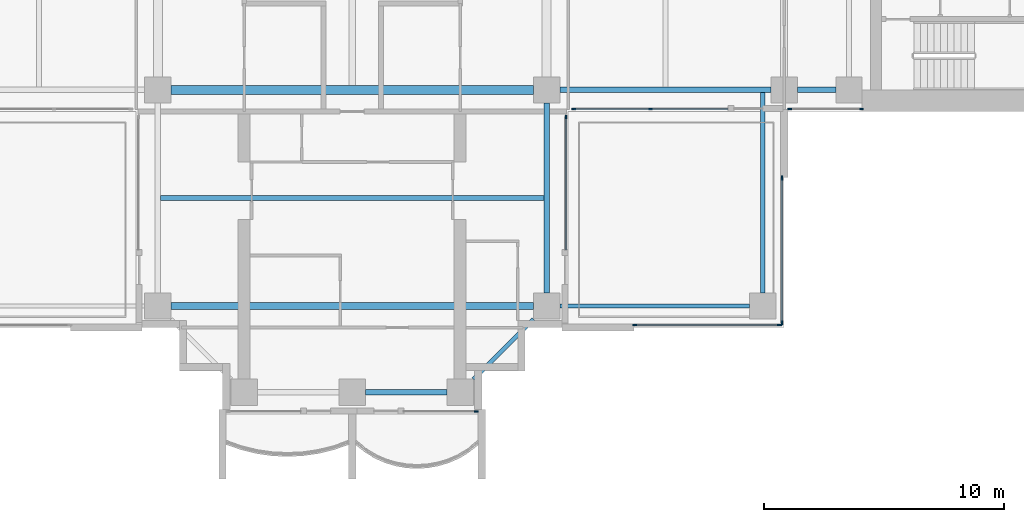
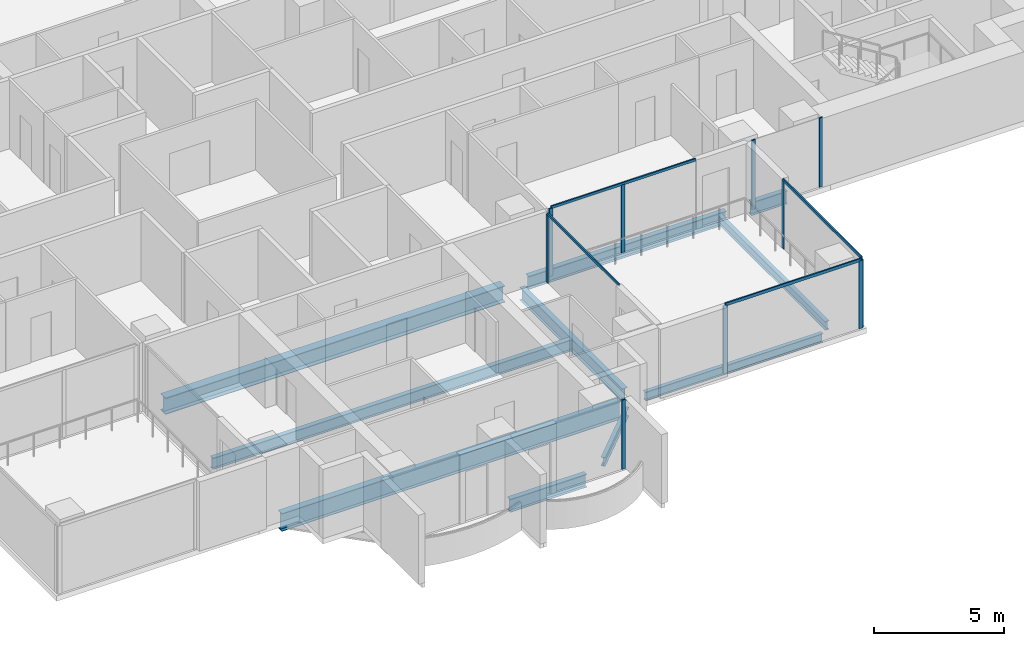
# One storey, part 3 of 18: 14 members, 10 beams, 6 elements without a shape of their own.
"""IFC4 building model written with IfcOpenShell, lengths in metres."""

from ifc_helpers import new_model, si_unit, direction, frame, origin, origin_2d, place, context, subcontext, project, spatial, rectangle, i_section, extrude, material, material_profile, profile_set, type_object, element, aggregate, save


model = new_model("IFC4")

# Units and contexts
model_context = context("Model", 3, precision=1e-05, world=origin(), true_north=direction((0.0, 1.0)))
body_context = subcontext(model_context, "Body", "Model", "MODEL_VIEW")
ifc_project = project(units=[si_unit("LENGTHUNIT", "METRE"), si_unit("AREAUNIT", "SQUARE_METRE"), si_unit("VOLUMEUNIT", "CUBIC_METRE"), si_unit("PLANEANGLEUNIT", "RADIAN"), si_unit("MASSUNIT", "GRAM", prefix="KILO")], contexts=[model_context])

# Site, building, storey
site_placement = place(None, origin())
site = spatial("IfcSite", under=ifc_project, at=site_placement, CompositionType="ELEMENT")
building_placement = place(site_placement, origin())
building = spatial("IfcBuilding", under=site, at=building_placement, Name="Perihelion Cross Residences", CompositionType="ELEMENT")
storey_placement = place(building_placement, frame((0.0, 0.0, 130.39990234375)))
storey = spatial("IfcBuildingStorey", under=building, at=storey_placement, Name="L31", CompositionType="ELEMENT", Elevation=130.39990234375)

# Curtain wall, member
ifc_material_1 = material(Name="Bronze anodised aluminium, tinted glazing", Category="aluminium")
curtain_wall_type_1 = type_object("IfcCurtainWallType", Name="CW1", PredefinedType="NOTDEFINED", material=ifc_material_1)
curtain_wall_1_placement = place(storey_placement, origin())
curtain_wall_1 = element("IfcCurtainWall", 1, at=curtain_wall_1_placement, inside=storey, type_object=curtain_wall_type_1, Name="Curtain wall CW1 L31 south tip south bay 2", PredefinedType="NOTDEFINED")
ifc_material_2 = material(Name="Bronze anodised aluminium", Category="aluminium")
ifc_material_profile_1 = material_profile(ifc_material_2, rectangle(XDim=0.06005859375, YDim=0.159912109375, at=origin_2d()), Name="CW1 mullion")
ifc_profile_set_1 = profile_set([ifc_material_profile_1], Name="Bronze anodised aluminium")
member_type_1 = type_object("IfcMemberType", Name="CW1 mullion", PredefinedType="MULLION", material=ifc_profile_set_1)
member_1_placement = place(storey_placement, frame((5.169921875, -21.5, 0.0), z_axis=(0.0, 0.0, 1.0), x_axis=(0.0, 1.0, 0.0)))
member_1 = element("IfcMember", 2, at=member_1_placement, type_object=member_type_1, Name="CW1 mullion 2", PredefinedType="MULLION", context=body_context, shape_type="SweptSolid", body=[
    extrude(rectangle(XDim=0.06005859375, YDim=0.159912109375, at=origin_2d()), origin(), (0.0, 0.0, 1.0), 3.25),
])
aggregate(curtain_wall_1, [member_1])

curtain_wall_2_placement = place(storey_placement, origin())
curtain_wall_2 = element("IfcCurtainWall", 3, at=curtain_wall_2_placement, inside=storey, type_object=curtain_wall_type_1, Name="Curtain wall CW1 L31 south side east bay 1", PredefinedType="NOTDEFINED")
member_2_placement = place(storey_placement, frame((8.89990234375, -9.22998046875, 0.0), z_axis=(0.0, 0.0, 1.0), x_axis=(-1.0, 0.0, 0.0)))
member_2 = element("IfcMember", 4, at=member_2_placement, type_object=member_type_1, Name="CW1 mullion 2", PredefinedType="MULLION", context=body_context, shape_type="SweptSolid", body=[
    extrude(rectangle(XDim=0.06005859375, YDim=0.159912109375, at=origin_2d()), origin(), (0.0, 0.0, 1.0), 3.190185546875),
])

# Curtain wall, members
curtain_wall_3_placement = place(storey_placement, origin())
curtain_wall_3 = element("IfcCurtainWall", 5, at=curtain_wall_3_placement, inside=storey, type_object=curtain_wall_type_1, Name="Curtain wall CW1 L31 east side south bay 1", PredefinedType="NOTDEFINED")
member_3_placement = place(storey_placement, frame((9.22998046875, -8.89990234375, 0.0), z_axis=(0.0, 0.0, 1.0), x_axis=(0.0, 1.0, 0.0)))
member_3 = element("IfcMember", 6, at=member_3_placement, type_object=member_type_1, Name="CW1 mullion 1", PredefinedType="MULLION", context=body_context, shape_type="SweptSolid", body=[
    extrude(rectangle(XDim=0.06005859375, YDim=0.159912109375, at=origin_2d()), origin(), (0.0, 0.0, 1.0), 3.190185546875),
])
member_4_placement = place(storey_placement, frame((12.425048828125, -8.89990234375, 0.0), z_axis=(0.0, 0.0, 1.0), x_axis=(0.0, 1.0, 0.0)))
member_4 = element("IfcMember", 7, at=member_4_placement, type_object=member_type_1, Name="CW1 mullion 2", PredefinedType="MULLION", context=body_context, shape_type="SweptSolid", body=[
    extrude(rectangle(XDim=0.06005859375, YDim=0.159912109375, at=origin_2d()), origin(), (0.0, 0.0, 1.0), 3.190185546875),
])

curtain_wall_4_placement = place(storey_placement, origin())
curtain_wall_4 = element("IfcCurtainWall", 8, at=curtain_wall_4_placement, inside=storey, type_object=curtain_wall_type_1, Name="Curtain wall CW1 L31 east side south bay 2", PredefinedType="NOTDEFINED")
member_5_placement = place(storey_placement, frame((18.22998046875, -8.89990234375, 0.0), z_axis=(0.0, 0.0, 1.0), x_axis=(0.0, 1.0, 0.0)))
member_5 = element("IfcMember", 9, at=member_5_placement, type_object=member_type_1, Name="CW1 mullion 1", PredefinedType="MULLION", context=body_context, shape_type="SweptSolid", body=[
    extrude(rectangle(XDim=0.06005859375, YDim=0.159912109375, at=origin_2d()), origin(), (0.0, 0.0, 1.0), 3.25),
])
member_6_placement = place(storey_placement, frame((21.219970703125, -8.89990234375, 0.0), z_axis=(0.0, 0.0, 1.0), x_axis=(0.0, 1.0, 0.0)))
member_6 = element("IfcMember", 10, at=member_6_placement, type_object=member_type_1, Name="CW1 mullion 2", PredefinedType="MULLION", context=body_context, shape_type="SweptSolid", body=[
    extrude(rectangle(XDim=0.06005859375, YDim=0.159912109375, at=origin_2d()), origin(), (0.0, 0.0, 1.0), 3.25),
])
aggregate(curtain_wall_4, [member_5, member_6])

# Member
ifc_material_3 = material(Name="Bronze anodised aluminium", Category="aluminium")
ifc_material_profile_2 = material_profile(ifc_material_3, rectangle(XDim=0.06005859375, YDim=0.1201171875, at=origin_2d()), Name="CW1 transom")
ifc_profile_set_2 = profile_set([ifc_material_profile_2], Name="Bronze anodised aluminium")
member_type_2 = type_object("IfcMemberType", Name="CW1 transom", PredefinedType="USERDEFINED", material=ifc_profile_set_2)
member_7_placement = place(storey_placement, frame((8.89990234375, -14.75, 3.22021484375), z_axis=(0.0, 1.0, 0.0), x_axis=(-1.0, 0.0, 0.0)))
member_7 = element("IfcMember", 11, at=member_7_placement, type_object=member_type_2, Name="CW1 head transom", ObjectType="TRANSOM", PredefinedType="USERDEFINED", context=body_context, shape_type="SweptSolid", body=[
    extrude(rectangle(XDim=0.06005859375, YDim=0.1201171875, at=origin_2d()), origin(), (0.0, 0.0, 1.0), 5.52001953125),
])

aggregate(curtain_wall_2, [member_2, member_7])

member_8_placement = place(storey_placement, frame((9.22998046875, -8.89990234375, 3.22021484375), z_axis=(1.0, 0.0, 0.0), x_axis=(0.0, 1.0, 0.0)))
member_8 = element("IfcMember", 12, at=member_8_placement, type_object=member_type_2, Name="CW1 head transom", ObjectType="TRANSOM", PredefinedType="USERDEFINED", context=body_context, shape_type="SweptSolid", body=[
    extrude(rectangle(XDim=0.06005859375, YDim=0.1201171875, at=origin_2d()), origin(), (0.0, 0.0, 1.0), 6.419921875),
])

aggregate(curtain_wall_3, [member_3, member_4, member_8])

# Curtain wall, members
ifc_material_4 = material(Name="Bronze anodised aluminium, tinted glazing", Category="aluminium")
curtain_wall_type_2 = type_object("IfcCurtainWallType", Name="CW4", PredefinedType="NOTDEFINED", material=ifc_material_4)
curtain_wall_5_placement = place(storey_placement, origin())
curtain_wall_5 = element("IfcCurtainWall", 13, at=curtain_wall_5_placement, inside=storey, type_object=curtain_wall_type_2, Name="Curtain wall CW4 L31 pocket south-east 1 1", PredefinedType="NOTDEFINED")
ifc_material_5 = material(Name="Bronze anodised aluminium", Category="aluminium")
ifc_material_profile_3 = material_profile(ifc_material_5, rectangle(XDim=0.06005859375, YDim=0.179931640625, at=origin_2d()), Name="CW4 mullion")
ifc_profile_set_3 = profile_set([ifc_material_profile_3], Name="Bronze anodised aluminium")
member_type_3 = type_object("IfcMemberType", Name="CW4 mullion", PredefinedType="MULLION", material=ifc_profile_set_3)
member_9_placement = place(storey_placement, frame((17.89990234375, -11.77001953125, 0.0), z_axis=(0.0, 0.0, 1.0), x_axis=(1.0, 0.0, 0.0)))
member_9 = element("IfcMember", 14, at=member_9_placement, type_object=member_type_3, Name="CW4 mullion 1", PredefinedType="MULLION", context=body_context, shape_type="SweptSolid", body=[
    extrude(rectangle(XDim=0.06005859375, YDim=0.179931640625, at=origin_2d()), origin(), (0.0, 0.0, 1.0), 3.190185546875),
])
member_10_placement = place(storey_placement, frame((17.89990234375, -17.800048828125, 0.0), z_axis=(0.0, 0.0, 1.0), x_axis=(1.0, 0.0, 0.0)))
member_10 = element("IfcMember", 15, at=member_10_placement, type_object=member_type_3, Name="CW4 mullion 2", PredefinedType="MULLION", context=body_context, shape_type="SweptSolid", body=[
    extrude(rectangle(XDim=0.06005859375, YDim=0.179931640625, at=origin_2d()), origin(), (0.0, 0.0, 1.0), 3.190185546875),
])

curtain_wall_6_placement = place(storey_placement, origin())
curtain_wall_6 = element("IfcCurtainWall", 16, at=curtain_wall_6_placement, inside=storey, type_object=curtain_wall_type_2, Name="Curtain wall CW4 L31 pocket south-east 1 2", PredefinedType="NOTDEFINED")
member_11_placement = place(storey_placement, frame((17.800048828125, -17.89990234375, 0.0), z_axis=(0.0, 0.0, 1.0), x_axis=(0.0, -1.0, 0.0)))
member_11 = element("IfcMember", 17, at=member_11_placement, type_object=member_type_3, Name="CW4 mullion 1", PredefinedType="MULLION", context=body_context, shape_type="SweptSolid", body=[
    extrude(rectangle(XDim=0.06005859375, YDim=0.179931640625, at=origin_2d()), origin(), (0.0, 0.0, 1.0), 3.190185546875),
])
member_12_placement = place(storey_placement, frame((11.77001953125, -17.89990234375, 0.0), z_axis=(0.0, 0.0, 1.0), x_axis=(0.0, -1.0, 0.0)))
member_12 = element("IfcMember", 18, at=member_12_placement, type_object=member_type_3, Name="CW4 mullion 2", PredefinedType="MULLION", context=body_context, shape_type="SweptSolid", body=[
    extrude(rectangle(XDim=0.06005859375, YDim=0.179931640625, at=origin_2d()), origin(), (0.0, 0.0, 1.0), 3.190185546875),
])

# Member
ifc_material_6 = material(Name="Bronze anodised aluminium", Category="aluminium")
ifc_material_profile_4 = material_profile(ifc_material_6, rectangle(XDim=0.06005859375, YDim=0.139892578125, at=origin_2d()), Name="CW4 transom")
ifc_profile_set_4 = profile_set([ifc_material_profile_4], Name="Bronze anodised aluminium")
member_type_4 = type_object("IfcMemberType", Name="CW4 transom", PredefinedType="USERDEFINED", material=ifc_profile_set_4)
member_13_placement = place(storey_placement, frame((17.89990234375, -11.77001953125, 3.22021484375), z_axis=(0.0, -1.0, 0.0), x_axis=(1.0, 0.0, 0.0)))
member_13 = element("IfcMember", 19, at=member_13_placement, type_object=member_type_4, Name="CW4 head transom", ObjectType="TRANSOM", PredefinedType="USERDEFINED", context=body_context, shape_type="SweptSolid", body=[
    extrude(rectangle(XDim=0.06005859375, YDim=0.139892578125, at=origin_2d()), origin(), (0.0, 0.0, 1.0), 6.030029296875),
])

aggregate(curtain_wall_5, [member_9, member_10, member_13])

member_14_placement = place(storey_placement, frame((17.800048828125, -17.89990234375, 3.22021484375), z_axis=(-1.0, 0.0, 0.0), x_axis=(0.0, -1.0, 0.0)))
member_14 = element("IfcMember", 20, at=member_14_placement, type_object=member_type_4, Name="CW4 head transom", ObjectType="TRANSOM", PredefinedType="USERDEFINED", context=body_context, shape_type="SweptSolid", body=[
    extrude(rectangle(XDim=0.06005859375, YDim=0.139892578125, at=origin_2d()), origin(), (0.0, 0.0, 1.0), 6.030029296875),
])

aggregate(curtain_wall_6, [member_11, member_12, member_14])

# Beams
ifc_material_7 = material(Name="Steel S355", Category="steel")
ifc_material_profile_5 = material_profile(ifc_material_7, i_section(OverallWidth=0.177978515625, OverallDepth=0.406005859375, WebThickness=0.0078125, FlangeThickness=0.0126953125, at=origin_2d()), Name="W410x60")
ifc_profile_set_5 = profile_set([ifc_material_profile_5], Name="Steel S355")
beam_type_1 = type_object("IfcBeamType", Name="Core edge beam W410x60", PredefinedType="BEAM", material=ifc_profile_set_5)
beam_1_placement = place(storey_placement, frame((17.10009765625, -8.214599609375, -0.452880859375), z_axis=(0.0, -1.0, 0.0), x_axis=(1.0, 0.0, 0.0)))
element("IfcBeam", 21, at=beam_1_placement, inside=storey, type_object=beam_type_1, Name="Core edge beam TB2 L31 corner no. 5", PredefinedType="BEAM", context=body_context, shape_type="SweptSolid", body=[
    extrude(i_section(OverallWidth=0.177978515625, OverallDepth=0.406005859375, WebThickness=0.0078125, FlangeThickness=0.0126953125, at=origin_2d()), origin(), (0.0, 0.0, 1.0), 8.33544921875),
])
beam_2_placement = place(storey_placement, frame((8.64990234375, -17.10009765625, -0.452880859375), z_axis=(1.0, 0.0, 0.0), x_axis=(0.0, 1.0, 0.0)))
element("IfcBeam", 22, at=beam_2_placement, inside=storey, type_object=beam_type_1, Name="Core edge beam TB2 L31 corner no. 6", PredefinedType="BEAM", context=body_context, shape_type="SweptSolid", body=[
    extrude(i_section(OverallWidth=0.177978515625, OverallDepth=0.406005859375, WebThickness=0.0078125, FlangeThickness=0.0126953125, at=origin_2d()), origin(), (0.0, 0.0, 1.0), 7.900146484375),
])
ifc_material_8 = material(Name="Steel S355", Category="steel")
ifc_material_profile_6 = material_profile(ifc_material_8, i_section(OverallWidth=0.22900390625, OverallDepth=0.612060546875, WebThickness=0.011962890625, FlangeThickness=0.01953125, at=origin_2d()), Name="W610x125")
ifc_profile_set_6 = profile_set([ifc_material_profile_6], Name="Steel S355")
beam_type_2 = type_object("IfcBeamType", Name="Edge beam W610x125", PredefinedType="SPANDREL", material=ifc_profile_set_6)
beam_3_placement = place(storey_placement, frame((0.550048828125, -20.699951171875, -0.555908203125), z_axis=(1.0, 0.0, 0.0), x_axis=(0.0, 1.0, 0.0)))
element("IfcBeam", 23, at=beam_3_placement, inside=storey, type_object=beam_type_2, Name="Edge beam SB3 L31 no. 9", PredefinedType="SPANDREL", context=body_context, shape_type="SweptSolid", body=[
    extrude(i_section(OverallWidth=0.22900390625, OverallDepth=0.612060546875, WebThickness=0.011962890625, FlangeThickness=0.01953125, at=origin_2d()), origin(), (0.0, 0.0, 1.0), 3.39990234375),
])
beam_4_placement = place(storey_placement, frame((8.10009765625, -16.550048828125, -0.555908203125), z_axis=(0.0, 1.0, 0.0), x_axis=(-1.0, 0.0, 0.0)))
element("IfcBeam", 24, at=beam_4_placement, inside=storey, type_object=beam_type_2, Name="Edge beam SB3 L31 no. 15", PredefinedType="SPANDREL", context=body_context, shape_type="SweptSolid", body=[
    extrude(i_section(OverallWidth=0.22900390625, OverallDepth=0.612060546875, WebThickness=0.011962890625, FlangeThickness=0.01953125, at=origin_2d()), origin(), (0.0, 0.0, 1.0), 7.900146484375),
])
beam_5_placement = place(storey_placement, frame((8.64990234375, -8.10009765625, -0.555908203125), z_axis=(1.0, 0.0, 0.0), x_axis=(0.0, 1.0, 0.0)))
element("IfcBeam", 25, at=beam_5_placement, inside=storey, type_object=beam_type_2, Name="Edge beam SB3 L31 no. 16", PredefinedType="SPANDREL", context=body_context, shape_type="SweptSolid", body=[
    extrude(i_section(OverallWidth=0.22900390625, OverallDepth=0.612060546875, WebThickness=0.011962890625, FlangeThickness=0.01953125, at=origin_2d()), origin(), (0.0, 0.0, 1.0), 8.800048828125),
])
beam_6_placement = place(storey_placement, frame((18.550048828125, -8.10009765625, -0.555908203125), z_axis=(1.0, 0.0, 0.0), x_axis=(0.0, 1.0, 0.0)))
element("IfcBeam", 26, at=beam_6_placement, inside=storey, type_object=beam_type_2, Name="Edge beam SB3 L31 no. 11", PredefinedType="SPANDREL", context=body_context, shape_type="SweptSolid", body=[
    extrude(i_section(OverallWidth=0.22900390625, OverallDepth=0.612060546875, WebThickness=0.011962890625, FlangeThickness=0.01953125, at=origin_2d()), origin(), (0.0, 0.0, 1.0), 1.599853515625),
])
ifc_material_9 = material(Name="Steel S355", Category="steel")
ifc_material_profile_7 = material_profile(ifc_material_9, i_section(OverallWidth=0.2919921875, OverallDepth=0.8359375, WebThickness=0.013916015625, FlangeThickness=0.018798828125, at=origin_2d()), Name="W840x176")
ifc_profile_set_7 = profile_set([ifc_material_profile_7], Name="Steel S355")
beam_type_3 = type_object("IfcBeamType", Name="Floor girder W840x176", PredefinedType="BEAM", material=ifc_profile_set_7)
beam_7_placement = place(storey_placement, frame((-7.550048828125, -17.10009765625, -0.66796875), z_axis=(1.0, 0.0, 0.0), x_axis=(0.0, 1.0, 0.0)))
element("IfcBeam", 27, at=beam_7_placement, inside=storey, type_object=beam_type_3, Name="Girder G3 L31 no. 3", PredefinedType="BEAM", context=body_context, shape_type="SweptSolid", body=[
    extrude(i_section(OverallWidth=0.2919921875, OverallDepth=0.8359375, WebThickness=0.013916015625, FlangeThickness=0.018798828125, at=origin_2d()), origin(), (0.0, 0.0, 1.0), 15.10009765625),
])
ifc_material_10 = material(Name="Steel S355", Category="steel")
ifc_material_profile_8 = material_profile(ifc_material_10, i_section(OverallWidth=0.208984375, OverallDepth=0.532958984375, WebThickness=0.01025390625, FlangeThickness=0.015625, at=origin_2d()), Name="W530x92")
ifc_profile_set_8 = profile_set([ifc_material_profile_8], Name="Steel S355")
beam_type_4 = type_object("IfcBeamType", Name="Floor joist W530x92", PredefinedType="JOIST", material=ifc_profile_set_8)
beam_8_placement = place(storey_placement, frame((-7.985595703125, -12.60009765625, -0.516357421875), z_axis=(1.0, 0.0, 0.0), x_axis=(0.0, 1.0, 0.0)))
element("IfcBeam", 28, at=beam_8_placement, inside=storey, type_object=beam_type_4, Name="Joist J4 L31 no. 3", PredefinedType="JOIST", context=body_context, shape_type="SweptSolid", body=[
    extrude(i_section(OverallWidth=0.208984375, OverallDepth=0.532958984375, WebThickness=0.01025390625, FlangeThickness=0.015625, at=origin_2d()), origin(), (0.0, 0.0, 1.0), 15.97119140625),
])
ifc_material_11 = material(Name="Steel S355", Category="steel")
ifc_material_profile_9 = material_profile(ifc_material_11, i_section(OverallWidth=0.381103515625, OverallDepth=0.77197265625, WebThickness=0.0166015625, FlangeThickness=0.027099609375, at=origin_2d()), Name="W760x257")
ifc_profile_set_9 = profile_set([ifc_material_profile_9], Name="Steel S355")
beam_type_5 = type_object("IfcBeamType", Name="Hub ring girder W760x257", PredefinedType="BEAM", material=ifc_profile_set_9)
beam_9_placement = place(storey_placement, frame((-7.550048828125, -8.10009765625, -0.635986328125), z_axis=(1.0, 0.0, 0.0), x_axis=(0.0, 1.0, 0.0)))
element("IfcBeam", 29, at=beam_9_placement, inside=storey, type_object=beam_type_5, Name="Hub ring girder RG3 L31 no. 1", PredefinedType="BEAM", context=body_context, shape_type="SweptSolid", body=[
    extrude(i_section(OverallWidth=0.381103515625, OverallDepth=0.77197265625, WebThickness=0.0166015625, FlangeThickness=0.027099609375, at=origin_2d()), origin(), (0.0, 0.0, 1.0), 15.10009765625),
])
ifc_material_12 = material(Name="Steel S355", Category="steel")
ifc_material_profile_10 = material_profile(ifc_material_12, i_section(OverallWidth=0.180908203125, OverallDepth=0.4169921875, WebThickness=0.010986328125, FlangeThickness=0.018310546875, at=origin_2d()), Name="W410x85")
ifc_profile_set_10 = profile_set([ifc_material_profile_10], Name="Steel S355")
beam_type_6 = type_object("IfcBeamType", Name="Serration edge beam W410x85", PredefinedType="BEAM", material=ifc_profile_set_10)
beam_10_placement = place(storey_placement, frame((5.050048828125, -20.14990234375, -0.45849609375), z_axis=(0.707106781187, 0.707106781187, 0.0), x_axis=(-0.707106781187, 0.707106781187, 0.0)))
element("IfcBeam", 30, at=beam_10_placement, inside=storey, type_object=beam_type_6, Name="Serration edge beam EB3 L31 no. 3", PredefinedType="BEAM", context=body_context, shape_type="SweptSolid", body=[
    extrude(i_section(OverallWidth=0.180908203125, OverallDepth=0.4169921875, WebThickness=0.010986328125, FlangeThickness=0.018310546875, at=origin_2d()), origin(), (0.0, 0.0, 1.0), 3.53564453125),
])

save(model, "model.ifc")
